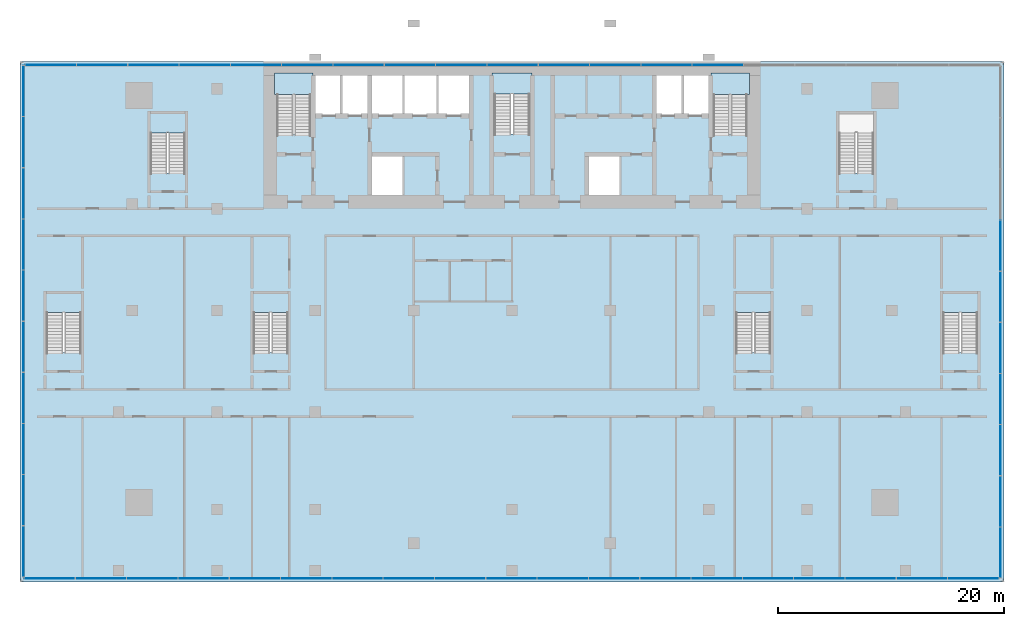
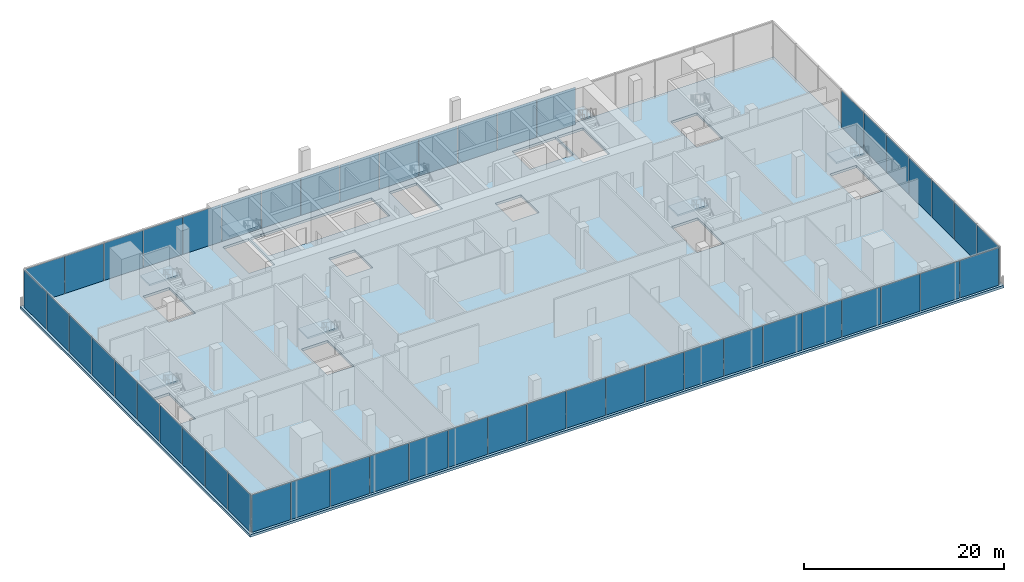
# One storey, part 9 of 20: 50 plates, 9 slabs, 12 elements without a shape of their own.
"""IFC4 building model written with IfcOpenShell, lengths in metres."""

from ifc_helpers import new_model, si_unit, direction, frame, origin, origin_2d, place, context, subcontext, project, spatial, polyline, rectangle, outline, extrude, material, layer, layer_set, type_object, element, aggregate, save


model = new_model("IFC4")

# Units and contexts
model_context = context("Model", 3, precision=1e-05, world=origin(), true_north=direction((0.0, 1.0)))
body_context = subcontext(model_context, "Body", "Model", "MODEL_VIEW")
ifc_project = project(units=[si_unit("LENGTHUNIT", "METRE"), si_unit("AREAUNIT", "SQUARE_METRE"), si_unit("VOLUMEUNIT", "CUBIC_METRE"), si_unit("PLANEANGLEUNIT", "RADIAN"), si_unit("MASSUNIT", "GRAM", prefix="KILO")], contexts=[model_context])

# Site, building, storey
site_placement = place(None, origin())
site = spatial("IfcSite", under=ifc_project, at=site_placement, CompositionType="ELEMENT")
building_placement = place(site_placement, origin())
building = spatial("IfcBuilding", under=site, at=building_placement, Name="Bicima Exchange Tower", CompositionType="ELEMENT")
storey_placement = place(building_placement, frame((0.0, 0.0, 25.0)))
storey = spatial("IfcBuildingStorey", under=building, at=storey_placement, Name="L04", CompositionType="ELEMENT", Elevation=25.0)

# Curtain wall, plates
ifc_material_1 = material(Name="Anodised bronze aluminium", Category="aluminium")
curtain_wall_type = type_object("IfcCurtainWallType", Name="Lobby glazing", PredefinedType="NOTDEFINED", material=ifc_material_1)
curtain_wall_1_placement = place(storey_placement, origin())
curtain_wall_1 = element("IfcCurtainWall", 1, at=curtain_wall_1_placement, inside=storey, type_object=curtain_wall_type, Name="Podium glazing L04 south 1", PredefinedType="NOTDEFINED")
ifc_material_2 = material(Name="Clear low-iron glass", Category="glass")
ifc_layer_1 = layer(ifc_material_2, 0.035888671875)
ifc_layer_set_1 = layer_set([ifc_layer_1], Name="Clear low-iron glass")
plate_type = type_object("IfcPlateType", Name="Lobby glazing glass panel 36", PredefinedType="CURTAIN_PANEL", material=ifc_layer_set_1)
plate_1_placement = place(storey_placement, frame((-40.900390625, -45.699951171875, 0.0), z_axis=(0.0, 0.0, 1.0), x_axis=(1.0, 0.0, 0.0)))
plate_1 = element("IfcPlate", 2, at=plate_1_placement, type_object=plate_type, Name="Lobby glazing panel 1.1", PredefinedType="CURTAIN_PANEL", context=body_context, shape_type="SweptSolid", body=[
    extrude(rectangle(XDim=4.47900390625, YDim=0.035888671875, at=origin_2d()), origin(), (0.0, 0.0, 1.0), 4.56005859375),
])
plate_2_placement = place(storey_placement, frame((-36.361572265625, -45.699951171875, 0.0), z_axis=(0.0, 0.0, 1.0), x_axis=(1.0, 0.0, 0.0)))
plate_2 = element("IfcPlate", 3, at=plate_2_placement, type_object=plate_type, Name="Lobby glazing panel 2.1", PredefinedType="CURTAIN_PANEL", context=body_context, shape_type="SweptSolid", body=[
    extrude(rectangle(XDim=4.47900390625, YDim=0.035888671875, at=origin_2d()), origin(), (0.0, 0.0, 1.0), 4.56005859375),
])
plate_3_placement = place(storey_placement, frame((-31.822509765625, -45.699951171875, 0.0), z_axis=(0.0, 0.0, 1.0), x_axis=(1.0, 0.0, 0.0)))
plate_3 = element("IfcPlate", 4, at=plate_3_placement, type_object=plate_type, Name="Lobby glazing panel 3.1", PredefinedType="CURTAIN_PANEL", context=body_context, shape_type="SweptSolid", body=[
    extrude(rectangle(XDim=4.47900390625, YDim=0.035888671875, at=origin_2d()), origin(), (0.0, 0.0, 1.0), 4.56005859375),
])
plate_4_placement = place(storey_placement, frame((-27.28369140625, -45.699951171875, 0.0), z_axis=(0.0, 0.0, 1.0), x_axis=(1.0, 0.0, 0.0)))
plate_4 = element("IfcPlate", 5, at=plate_4_placement, type_object=plate_type, Name="Lobby glazing panel 4.1", PredefinedType="CURTAIN_PANEL", context=body_context, shape_type="SweptSolid", body=[
    extrude(rectangle(XDim=4.47900390625, YDim=0.035888671875, at=origin_2d()), origin(), (0.0, 0.0, 1.0), 4.56005859375),
])
plate_5_placement = place(storey_placement, frame((-22.74462890625, -45.699951171875, 0.0), z_axis=(0.0, 0.0, 1.0), x_axis=(1.0, 0.0, 0.0)))
plate_5 = element("IfcPlate", 6, at=plate_5_placement, type_object=plate_type, Name="Lobby glazing panel 5.1", PredefinedType="CURTAIN_PANEL", context=body_context, shape_type="SweptSolid", body=[
    extrude(rectangle(XDim=4.47900390625, YDim=0.035888671875, at=origin_2d()), origin(), (0.0, 0.0, 1.0), 4.56005859375),
])
plate_6_placement = place(storey_placement, frame((-18.205810546875, -45.699951171875, 0.0), z_axis=(0.0, 0.0, 1.0), x_axis=(1.0, 0.0, 0.0)))
plate_6 = element("IfcPlate", 7, at=plate_6_placement, type_object=plate_type, Name="Lobby glazing panel 6.1", PredefinedType="CURTAIN_PANEL", context=body_context, shape_type="SweptSolid", body=[
    extrude(rectangle(XDim=4.47900390625, YDim=0.035888671875, at=origin_2d()), origin(), (0.0, 0.0, 1.0), 4.56005859375),
])
plate_7_placement = place(storey_placement, frame((-13.666748046875, -45.699951171875, 0.0), z_axis=(0.0, 0.0, 1.0), x_axis=(1.0, 0.0, 0.0)))
plate_7 = element("IfcPlate", 8, at=plate_7_placement, type_object=plate_type, Name="Lobby glazing panel 7.1", PredefinedType="CURTAIN_PANEL", context=body_context, shape_type="SweptSolid", body=[
    extrude(rectangle(XDim=4.47900390625, YDim=0.035888671875, at=origin_2d()), origin(), (0.0, 0.0, 1.0), 4.56005859375),
])
plate_8_placement = place(storey_placement, frame((-9.1279296875, -45.699951171875, 0.0), z_axis=(0.0, 0.0, 1.0), x_axis=(1.0, 0.0, 0.0)))
plate_8 = element("IfcPlate", 9, at=plate_8_placement, type_object=plate_type, Name="Lobby glazing panel 8.1", PredefinedType="CURTAIN_PANEL", context=body_context, shape_type="SweptSolid", body=[
    extrude(rectangle(XDim=4.47900390625, YDim=0.035888671875, at=origin_2d()), origin(), (0.0, 0.0, 1.0), 4.56005859375),
])
plate_9_placement = place(storey_placement, frame((-4.5888671875, -45.699951171875, 0.0), z_axis=(0.0, 0.0, 1.0), x_axis=(1.0, 0.0, 0.0)))
plate_9 = element("IfcPlate", 10, at=plate_9_placement, type_object=plate_type, Name="Lobby glazing panel 9.1", PredefinedType="CURTAIN_PANEL", context=body_context, shape_type="SweptSolid", body=[
    extrude(rectangle(XDim=4.47900390625, YDim=0.035888671875, at=origin_2d()), origin(), (0.0, 0.0, 1.0), 4.56005859375),
])
plate_10_placement = place(storey_placement, frame((-0.050048828125, -45.699951171875, 0.0), z_axis=(0.0, 0.0, 1.0), x_axis=(1.0, 0.0, 0.0)))
plate_10 = element("IfcPlate", 11, at=plate_10_placement, type_object=plate_type, Name="Lobby glazing panel 10.1", PredefinedType="CURTAIN_PANEL", context=body_context, shape_type="SweptSolid", body=[
    extrude(rectangle(XDim=4.47900390625, YDim=0.035888671875, at=origin_2d()), origin(), (0.0, 0.0, 1.0), 4.56005859375),
])
plate_11_placement = place(storey_placement, frame((4.489013671875, -45.699951171875, 0.0), z_axis=(0.0, 0.0, 1.0), x_axis=(1.0, 0.0, 0.0)))
plate_11 = element("IfcPlate", 12, at=plate_11_placement, type_object=plate_type, Name="Lobby glazing panel 11.1", PredefinedType="CURTAIN_PANEL", context=body_context, shape_type="SweptSolid", body=[
    extrude(rectangle(XDim=4.47900390625, YDim=0.035888671875, at=origin_2d()), origin(), (0.0, 0.0, 1.0), 4.56005859375),
])
plate_12_placement = place(storey_placement, frame((9.02783203125, -45.699951171875, 0.0), z_axis=(0.0, 0.0, 1.0), x_axis=(1.0, 0.0, 0.0)))
plate_12 = element("IfcPlate", 13, at=plate_12_placement, type_object=plate_type, Name="Lobby glazing panel 12.1", PredefinedType="CURTAIN_PANEL", context=body_context, shape_type="SweptSolid", body=[
    extrude(rectangle(XDim=4.47900390625, YDim=0.035888671875, at=origin_2d()), origin(), (0.0, 0.0, 1.0), 4.56005859375),
])
plate_13_placement = place(storey_placement, frame((13.56689453125, -45.699951171875, 0.0), z_axis=(0.0, 0.0, 1.0), x_axis=(1.0, 0.0, 0.0)))
plate_13 = element("IfcPlate", 14, at=plate_13_placement, type_object=plate_type, Name="Lobby glazing panel 13.1", PredefinedType="CURTAIN_PANEL", context=body_context, shape_type="SweptSolid", body=[
    extrude(rectangle(XDim=4.47900390625, YDim=0.035888671875, at=origin_2d()), origin(), (0.0, 0.0, 1.0), 4.56005859375),
])
plate_14_placement = place(storey_placement, frame((18.105712890625, -45.699951171875, 0.0), z_axis=(0.0, 0.0, 1.0), x_axis=(1.0, 0.0, 0.0)))
plate_14 = element("IfcPlate", 15, at=plate_14_placement, type_object=plate_type, Name="Lobby glazing panel 14.1", PredefinedType="CURTAIN_PANEL", context=body_context, shape_type="SweptSolid", body=[
    extrude(rectangle(XDim=4.47900390625, YDim=0.035888671875, at=origin_2d()), origin(), (0.0, 0.0, 1.0), 4.56005859375),
])
plate_15_placement = place(storey_placement, frame((22.644775390625, -45.699951171875, 0.0), z_axis=(0.0, 0.0, 1.0), x_axis=(1.0, 0.0, 0.0)))
plate_15 = element("IfcPlate", 16, at=plate_15_placement, type_object=plate_type, Name="Lobby glazing panel 15.1", PredefinedType="CURTAIN_PANEL", context=body_context, shape_type="SweptSolid", body=[
    extrude(rectangle(XDim=4.47900390625, YDim=0.035888671875, at=origin_2d()), origin(), (0.0, 0.0, 1.0), 4.56005859375),
])
plate_16_placement = place(storey_placement, frame((27.18359375, -45.699951171875, 0.0), z_axis=(0.0, 0.0, 1.0), x_axis=(1.0, 0.0, 0.0)))
plate_16 = element("IfcPlate", 17, at=plate_16_placement, type_object=plate_type, Name="Lobby glazing panel 16.1", PredefinedType="CURTAIN_PANEL", context=body_context, shape_type="SweptSolid", body=[
    extrude(rectangle(XDim=4.47900390625, YDim=0.035888671875, at=origin_2d()), origin(), (0.0, 0.0, 1.0), 4.56005859375),
])
plate_17_placement = place(storey_placement, frame((31.72265625, -45.699951171875, 0.0), z_axis=(0.0, 0.0, 1.0), x_axis=(1.0, 0.0, 0.0)))
plate_17 = element("IfcPlate", 18, at=plate_17_placement, type_object=plate_type, Name="Lobby glazing panel 17.1", PredefinedType="CURTAIN_PANEL", context=body_context, shape_type="SweptSolid", body=[
    extrude(rectangle(XDim=4.47900390625, YDim=0.035888671875, at=origin_2d()), origin(), (0.0, 0.0, 1.0), 4.56005859375),
])
plate_18_placement = place(storey_placement, frame((36.26171875, -45.699951171875, 0.0), z_axis=(0.0, 0.0, 1.0), x_axis=(1.0, 0.0, 0.0)))
plate_18 = element("IfcPlate", 19, at=plate_18_placement, type_object=plate_type, Name="Lobby glazing panel 18.1", PredefinedType="CURTAIN_PANEL", context=body_context, shape_type="SweptSolid", body=[
    extrude(rectangle(XDim=4.47900390625, YDim=0.035888671875, at=origin_2d()), origin(), (0.0, 0.0, 1.0), 4.56005859375),
])
plate_19_placement = place(storey_placement, frame((40.800537109375, -45.699951171875, 0.0), z_axis=(0.0, 0.0, 1.0), x_axis=(1.0, 0.0, 0.0)))
plate_19 = element("IfcPlate", 20, at=plate_19_placement, type_object=plate_type, Name="Lobby glazing panel 19.1", PredefinedType="CURTAIN_PANEL", context=body_context, shape_type="SweptSolid", body=[
    extrude(rectangle(XDim=4.47900390625, YDim=0.035888671875, at=origin_2d()), origin(), (0.0, 0.0, 1.0), 4.56005859375),
])
aggregate(curtain_wall_1, [plate_1, plate_2, plate_3, plate_4, plate_5, plate_6, plate_7, plate_8, plate_9, plate_10, plate_11, plate_12, plate_13, plate_14, plate_15, plate_16, plate_17, plate_18, plate_19])

curtain_wall_2_placement = place(storey_placement, origin())
curtain_wall_2 = element("IfcCurtainWall", 21, at=curtain_wall_2_placement, inside=storey, type_object=curtain_wall_type, Name="Podium glazing L04 east 1", PredefinedType="NOTDEFINED")
plate_20_placement = place(storey_placement, frame((43.199951171875, -43.407958984375, 0.0), z_axis=(0.0, 0.0, 1.0), x_axis=(0.0, 1.0, 0.0)))
plate_20 = element("IfcPlate", 22, at=plate_20_placement, type_object=plate_type, Name="Lobby glazing panel 1.1", PredefinedType="CURTAIN_PANEL", context=body_context, shape_type="SweptSolid", body=[
    extrude(rectangle(XDim=4.464111328125, YDim=0.035888671875, at=origin_2d()), origin(), (0.0, 0.0, 1.0), 4.56005859375),
])
plate_21_placement = place(storey_placement, frame((43.199951171875, -38.884033203125, 0.0), z_axis=(0.0, 0.0, 1.0), x_axis=(0.0, 1.0, 0.0)))
plate_21 = element("IfcPlate", 23, at=plate_21_placement, type_object=plate_type, Name="Lobby glazing panel 2.1", PredefinedType="CURTAIN_PANEL", context=body_context, shape_type="SweptSolid", body=[
    extrude(rectangle(XDim=4.464111328125, YDim=0.035888671875, at=origin_2d()), origin(), (0.0, 0.0, 1.0), 4.56005859375),
])
plate_22_placement = place(storey_placement, frame((43.199951171875, -34.360107421875, 0.0), z_axis=(0.0, 0.0, 1.0), x_axis=(0.0, 1.0, 0.0)))
plate_22 = element("IfcPlate", 24, at=plate_22_placement, type_object=plate_type, Name="Lobby glazing panel 3.1", PredefinedType="CURTAIN_PANEL", context=body_context, shape_type="SweptSolid", body=[
    extrude(rectangle(XDim=4.464111328125, YDim=0.035888671875, at=origin_2d()), origin(), (0.0, 0.0, 1.0), 4.56005859375),
])
plate_23_placement = place(storey_placement, frame((43.199951171875, -29.8359375, 0.0), z_axis=(0.0, 0.0, 1.0), x_axis=(0.0, 1.0, 0.0)))
plate_23 = element("IfcPlate", 25, at=plate_23_placement, type_object=plate_type, Name="Lobby glazing panel 4.1", PredefinedType="CURTAIN_PANEL", context=body_context, shape_type="SweptSolid", body=[
    extrude(rectangle(XDim=4.464111328125, YDim=0.035888671875, at=origin_2d()), origin(), (0.0, 0.0, 1.0), 4.56005859375),
])
plate_24_placement = place(storey_placement, frame((43.199951171875, -25.31201171875, 0.0), z_axis=(0.0, 0.0, 1.0), x_axis=(0.0, 1.0, 0.0)))
plate_24 = element("IfcPlate", 26, at=plate_24_placement, type_object=plate_type, Name="Lobby glazing panel 5.1", PredefinedType="CURTAIN_PANEL", context=body_context, shape_type="SweptSolid", body=[
    extrude(rectangle(XDim=4.464111328125, YDim=0.035888671875, at=origin_2d()), origin(), (0.0, 0.0, 1.0), 4.56005859375),
])
plate_25_placement = place(storey_placement, frame((43.199951171875, -20.7880859375, 0.0), z_axis=(0.0, 0.0, 1.0), x_axis=(0.0, 1.0, 0.0)))
plate_25 = element("IfcPlate", 27, at=plate_25_placement, type_object=plate_type, Name="Lobby glazing panel 6.1", PredefinedType="CURTAIN_PANEL", context=body_context, shape_type="SweptSolid", body=[
    extrude(rectangle(XDim=4.464111328125, YDim=0.035888671875, at=origin_2d()), origin(), (0.0, 0.0, 1.0), 4.56005859375),
])
plate_26_placement = place(storey_placement, frame((43.199951171875, -16.263916015625, 0.0), z_axis=(0.0, 0.0, 1.0), x_axis=(0.0, 1.0, 0.0)))
plate_26 = element("IfcPlate", 28, at=plate_26_placement, type_object=plate_type, Name="Lobby glazing panel 7.1", PredefinedType="CURTAIN_PANEL", context=body_context, shape_type="SweptSolid", body=[
    extrude(rectangle(XDim=4.464111328125, YDim=0.035888671875, at=origin_2d()), origin(), (0.0, 0.0, 1.0), 4.56005859375),
])
aggregate(curtain_wall_2, [plate_20, plate_21, plate_22, plate_23, plate_24, plate_25, plate_26])

curtain_wall_3_placement = place(storey_placement, origin())
curtain_wall_3 = element("IfcCurtainWall", 29, at=curtain_wall_3_placement, inside=storey, type_object=curtain_wall_type, Name="Podium glazing L04 north 1", PredefinedType="NOTDEFINED")
plate_27_placement = place(storey_placement, frame((18.205810546875, -0.300048828125, 0.0), z_axis=(0.0, 0.0, 1.0), x_axis=(-1.0, 0.0, 0.0)))
plate_27 = element("IfcPlate", 30, at=plate_27_placement, type_object=plate_type, Name="Lobby glazing panel 6.1", PredefinedType="CURTAIN_PANEL", context=body_context, shape_type="SweptSolid", body=[
    extrude(rectangle(XDim=4.47900390625, YDim=0.035888671875, at=origin_2d()), origin(), (0.0, 0.0, 1.0), 4.56005859375),
])
plate_28_placement = place(storey_placement, frame((13.666748046875, -0.300048828125, 0.0), z_axis=(0.0, 0.0, 1.0), x_axis=(-1.0, 0.0, 0.0)))
plate_28 = element("IfcPlate", 31, at=plate_28_placement, type_object=plate_type, Name="Lobby glazing panel 7.1", PredefinedType="CURTAIN_PANEL", context=body_context, shape_type="SweptSolid", body=[
    extrude(rectangle(XDim=4.47900390625, YDim=0.035888671875, at=origin_2d()), origin(), (0.0, 0.0, 1.0), 4.56005859375),
])
plate_29_placement = place(storey_placement, frame((9.1279296875, -0.300048828125, 0.0), z_axis=(0.0, 0.0, 1.0), x_axis=(-1.0, 0.0, 0.0)))
plate_29 = element("IfcPlate", 32, at=plate_29_placement, type_object=plate_type, Name="Lobby glazing panel 8.1", PredefinedType="CURTAIN_PANEL", context=body_context, shape_type="SweptSolid", body=[
    extrude(rectangle(XDim=4.47900390625, YDim=0.035888671875, at=origin_2d()), origin(), (0.0, 0.0, 1.0), 4.56005859375),
])
plate_30_placement = place(storey_placement, frame((4.5888671875, -0.300048828125, 0.0), z_axis=(0.0, 0.0, 1.0), x_axis=(-1.0, 0.0, 0.0)))
plate_30 = element("IfcPlate", 33, at=plate_30_placement, type_object=plate_type, Name="Lobby glazing panel 9.1", PredefinedType="CURTAIN_PANEL", context=body_context, shape_type="SweptSolid", body=[
    extrude(rectangle(XDim=4.47900390625, YDim=0.035888671875, at=origin_2d()), origin(), (0.0, 0.0, 1.0), 4.56005859375),
])
plate_31_placement = place(storey_placement, frame((0.050048828125, -0.300048828125, 0.0), z_axis=(0.0, 0.0, 1.0), x_axis=(-1.0, 0.0, 0.0)))
plate_31 = element("IfcPlate", 34, at=plate_31_placement, type_object=plate_type, Name="Lobby glazing panel 10.1", PredefinedType="CURTAIN_PANEL", context=body_context, shape_type="SweptSolid", body=[
    extrude(rectangle(XDim=4.47900390625, YDim=0.035888671875, at=origin_2d()), origin(), (0.0, 0.0, 1.0), 4.56005859375),
])
plate_32_placement = place(storey_placement, frame((-4.489013671875, -0.300048828125, 0.0), z_axis=(0.0, 0.0, 1.0), x_axis=(-1.0, 0.0, 0.0)))
plate_32 = element("IfcPlate", 35, at=plate_32_placement, type_object=plate_type, Name="Lobby glazing panel 11.1", PredefinedType="CURTAIN_PANEL", context=body_context, shape_type="SweptSolid", body=[
    extrude(rectangle(XDim=4.47900390625, YDim=0.035888671875, at=origin_2d()), origin(), (0.0, 0.0, 1.0), 4.56005859375),
])
plate_33_placement = place(storey_placement, frame((-9.02783203125, -0.300048828125, 0.0), z_axis=(0.0, 0.0, 1.0), x_axis=(-1.0, 0.0, 0.0)))
plate_33 = element("IfcPlate", 36, at=plate_33_placement, type_object=plate_type, Name="Lobby glazing panel 12.1", PredefinedType="CURTAIN_PANEL", context=body_context, shape_type="SweptSolid", body=[
    extrude(rectangle(XDim=4.47900390625, YDim=0.035888671875, at=origin_2d()), origin(), (0.0, 0.0, 1.0), 4.56005859375),
])
plate_34_placement = place(storey_placement, frame((-13.56689453125, -0.300048828125, 0.0), z_axis=(0.0, 0.0, 1.0), x_axis=(-1.0, 0.0, 0.0)))
plate_34 = element("IfcPlate", 37, at=plate_34_placement, type_object=plate_type, Name="Lobby glazing panel 13.1", PredefinedType="CURTAIN_PANEL", context=body_context, shape_type="SweptSolid", body=[
    extrude(rectangle(XDim=4.47900390625, YDim=0.035888671875, at=origin_2d()), origin(), (0.0, 0.0, 1.0), 4.56005859375),
])
plate_35_placement = place(storey_placement, frame((-18.105712890625, -0.300048828125, 0.0), z_axis=(0.0, 0.0, 1.0), x_axis=(-1.0, 0.0, 0.0)))
plate_35 = element("IfcPlate", 38, at=plate_35_placement, type_object=plate_type, Name="Lobby glazing panel 14.1", PredefinedType="CURTAIN_PANEL", context=body_context, shape_type="SweptSolid", body=[
    extrude(rectangle(XDim=4.47900390625, YDim=0.035888671875, at=origin_2d()), origin(), (0.0, 0.0, 1.0), 4.56005859375),
])
plate_36_placement = place(storey_placement, frame((-22.644775390625, -0.300048828125, 0.0), z_axis=(0.0, 0.0, 1.0), x_axis=(-1.0, 0.0, 0.0)))
plate_36 = element("IfcPlate", 39, at=plate_36_placement, type_object=plate_type, Name="Lobby glazing panel 15.1", PredefinedType="CURTAIN_PANEL", context=body_context, shape_type="SweptSolid", body=[
    extrude(rectangle(XDim=4.47900390625, YDim=0.035888671875, at=origin_2d()), origin(), (0.0, 0.0, 1.0), 4.56005859375),
])
plate_37_placement = place(storey_placement, frame((-27.18359375, -0.300048828125, 0.0), z_axis=(0.0, 0.0, 1.0), x_axis=(-1.0, 0.0, 0.0)))
plate_37 = element("IfcPlate", 40, at=plate_37_placement, type_object=plate_type, Name="Lobby glazing panel 16.1", PredefinedType="CURTAIN_PANEL", context=body_context, shape_type="SweptSolid", body=[
    extrude(rectangle(XDim=4.47900390625, YDim=0.035888671875, at=origin_2d()), origin(), (0.0, 0.0, 1.0), 4.56005859375),
])
plate_38_placement = place(storey_placement, frame((-31.72265625, -0.300048828125, 0.0), z_axis=(0.0, 0.0, 1.0), x_axis=(-1.0, 0.0, 0.0)))
plate_38 = element("IfcPlate", 41, at=plate_38_placement, type_object=plate_type, Name="Lobby glazing panel 17.1", PredefinedType="CURTAIN_PANEL", context=body_context, shape_type="SweptSolid", body=[
    extrude(rectangle(XDim=4.47900390625, YDim=0.035888671875, at=origin_2d()), origin(), (0.0, 0.0, 1.0), 4.56005859375),
])
plate_39_placement = place(storey_placement, frame((-36.26171875, -0.300048828125, 0.0), z_axis=(0.0, 0.0, 1.0), x_axis=(-1.0, 0.0, 0.0)))
plate_39 = element("IfcPlate", 42, at=plate_39_placement, type_object=plate_type, Name="Lobby glazing panel 18.1", PredefinedType="CURTAIN_PANEL", context=body_context, shape_type="SweptSolid", body=[
    extrude(rectangle(XDim=4.47900390625, YDim=0.035888671875, at=origin_2d()), origin(), (0.0, 0.0, 1.0), 4.56005859375),
])
plate_40_placement = place(storey_placement, frame((-40.800537109375, -0.300048828125, 0.0), z_axis=(0.0, 0.0, 1.0), x_axis=(-1.0, 0.0, 0.0)))
plate_40 = element("IfcPlate", 43, at=plate_40_placement, type_object=plate_type, Name="Lobby glazing panel 19.1", PredefinedType="CURTAIN_PANEL", context=body_context, shape_type="SweptSolid", body=[
    extrude(rectangle(XDim=4.47900390625, YDim=0.035888671875, at=origin_2d()), origin(), (0.0, 0.0, 1.0), 4.56005859375),
])
aggregate(curtain_wall_3, [plate_27, plate_28, plate_29, plate_30, plate_31, plate_32, plate_33, plate_34, plate_35, plate_36, plate_37, plate_38, plate_39, plate_40])

curtain_wall_4_placement = place(storey_placement, origin())
curtain_wall_4 = element("IfcCurtainWall", 44, at=curtain_wall_4_placement, inside=storey, type_object=curtain_wall_type, Name="Podium glazing L04 west 1", PredefinedType="NOTDEFINED")
plate_41_placement = place(storey_placement, frame((-43.199951171875, -2.592041015625, 0.0), z_axis=(0.0, 0.0, 1.0), x_axis=(0.0, -1.0, 0.0)))
plate_41 = element("IfcPlate", 45, at=plate_41_placement, type_object=plate_type, Name="Lobby glazing panel 1.1", PredefinedType="CURTAIN_PANEL", context=body_context, shape_type="SweptSolid", body=[
    extrude(rectangle(XDim=4.464111328125, YDim=0.035888671875, at=origin_2d()), origin(), (0.0, 0.0, 1.0), 4.56005859375),
])
plate_42_placement = place(storey_placement, frame((-43.199951171875, -7.115966796875, 0.0), z_axis=(0.0, 0.0, 1.0), x_axis=(0.0, -1.0, 0.0)))
plate_42 = element("IfcPlate", 46, at=plate_42_placement, type_object=plate_type, Name="Lobby glazing panel 2.1", PredefinedType="CURTAIN_PANEL", context=body_context, shape_type="SweptSolid", body=[
    extrude(rectangle(XDim=4.464111328125, YDim=0.035888671875, at=origin_2d()), origin(), (0.0, 0.0, 1.0), 4.56005859375),
])
plate_43_placement = place(storey_placement, frame((-43.199951171875, -11.639892578125, 0.0), z_axis=(0.0, 0.0, 1.0), x_axis=(0.0, -1.0, 0.0)))
plate_43 = element("IfcPlate", 47, at=plate_43_placement, type_object=plate_type, Name="Lobby glazing panel 3.1", PredefinedType="CURTAIN_PANEL", context=body_context, shape_type="SweptSolid", body=[
    extrude(rectangle(XDim=4.464111328125, YDim=0.035888671875, at=origin_2d()), origin(), (0.0, 0.0, 1.0), 4.56005859375),
])
plate_44_placement = place(storey_placement, frame((-43.199951171875, -16.1640625, 0.0), z_axis=(0.0, 0.0, 1.0), x_axis=(0.0, -1.0, 0.0)))
plate_44 = element("IfcPlate", 48, at=plate_44_placement, type_object=plate_type, Name="Lobby glazing panel 4.1", PredefinedType="CURTAIN_PANEL", context=body_context, shape_type="SweptSolid", body=[
    extrude(rectangle(XDim=4.464111328125, YDim=0.035888671875, at=origin_2d()), origin(), (0.0, 0.0, 1.0), 4.56005859375),
])
plate_45_placement = place(storey_placement, frame((-43.199951171875, -20.68798828125, 0.0), z_axis=(0.0, 0.0, 1.0), x_axis=(0.0, -1.0, 0.0)))
plate_45 = element("IfcPlate", 49, at=plate_45_placement, type_object=plate_type, Name="Lobby glazing panel 5.1", PredefinedType="CURTAIN_PANEL", context=body_context, shape_type="SweptSolid", body=[
    extrude(rectangle(XDim=4.464111328125, YDim=0.035888671875, at=origin_2d()), origin(), (0.0, 0.0, 1.0), 4.56005859375),
])
plate_46_placement = place(storey_placement, frame((-43.199951171875, -25.2119140625, 0.0), z_axis=(0.0, 0.0, 1.0), x_axis=(0.0, -1.0, 0.0)))
plate_46 = element("IfcPlate", 50, at=plate_46_placement, type_object=plate_type, Name="Lobby glazing panel 6.1", PredefinedType="CURTAIN_PANEL", context=body_context, shape_type="SweptSolid", body=[
    extrude(rectangle(XDim=4.464111328125, YDim=0.035888671875, at=origin_2d()), origin(), (0.0, 0.0, 1.0), 4.56005859375),
])
plate_47_placement = place(storey_placement, frame((-43.199951171875, -29.736083984375, 0.0), z_axis=(0.0, 0.0, 1.0), x_axis=(0.0, -1.0, 0.0)))
plate_47 = element("IfcPlate", 51, at=plate_47_placement, type_object=plate_type, Name="Lobby glazing panel 7.1", PredefinedType="CURTAIN_PANEL", context=body_context, shape_type="SweptSolid", body=[
    extrude(rectangle(XDim=4.464111328125, YDim=0.035888671875, at=origin_2d()), origin(), (0.0, 0.0, 1.0), 4.56005859375),
])
plate_48_placement = place(storey_placement, frame((-43.199951171875, -34.260009765625, 0.0), z_axis=(0.0, 0.0, 1.0), x_axis=(0.0, -1.0, 0.0)))
plate_48 = element("IfcPlate", 52, at=plate_48_placement, type_object=plate_type, Name="Lobby glazing panel 8.1", PredefinedType="CURTAIN_PANEL", context=body_context, shape_type="SweptSolid", body=[
    extrude(rectangle(XDim=4.464111328125, YDim=0.035888671875, at=origin_2d()), origin(), (0.0, 0.0, 1.0), 4.56005859375),
])
plate_49_placement = place(storey_placement, frame((-43.199951171875, -38.783935546875, 0.0), z_axis=(0.0, 0.0, 1.0), x_axis=(0.0, -1.0, 0.0)))
plate_49 = element("IfcPlate", 53, at=plate_49_placement, type_object=plate_type, Name="Lobby glazing panel 9.1", PredefinedType="CURTAIN_PANEL", context=body_context, shape_type="SweptSolid", body=[
    extrude(rectangle(XDim=4.464111328125, YDim=0.035888671875, at=origin_2d()), origin(), (0.0, 0.0, 1.0), 4.56005859375),
])
plate_50_placement = place(storey_placement, frame((-43.199951171875, -43.30810546875, 0.0), z_axis=(0.0, 0.0, 1.0), x_axis=(0.0, -1.0, 0.0)))
plate_50 = element("IfcPlate", 54, at=plate_50_placement, type_object=plate_type, Name="Lobby glazing panel 10.1", PredefinedType="CURTAIN_PANEL", context=body_context, shape_type="SweptSolid", body=[
    extrude(rectangle(XDim=4.464111328125, YDim=0.035888671875, at=origin_2d()), origin(), (0.0, 0.0, 1.0), 4.56005859375),
])
aggregate(curtain_wall_4, [plate_41, plate_42, plate_43, plate_44, plate_45, plate_46, plate_47, plate_48, plate_49, plate_50])

# Slab
ifc_material_3 = material(Name="Concrete C40/50", Category="concrete")
ifc_layer_2 = layer(ifc_material_3, 0.300048828125)
ifc_layer_set_2 = layer_set([ifc_layer_2], Name="Concrete C40/50")
slab_type_1 = type_object("IfcSlabType", Name="Reinforced concrete flat plate 300", PredefinedType="FLOOR", material=ifc_layer_set_2)
slab_1_placement = place(storey_placement, frame((0.0, 0.0, -0.300048828125)))
element("IfcSlab", 55, at=slab_1_placement, inside=storey, type_object=slab_type_1, Name="Floor slab", PredefinedType="FLOOR", context=body_context, shape_type="SweptSolid", body=[
    extrude(outline(polyline([(-43.5, 0.0), (43.5, 0.0), (43.5, -46.0), (-43.5, -46.0), (-43.5, 0.0)]), holes=[polyline([(-41.175048828125, -25.72509765625), (-38.125, -25.72509765625), (-38.125, -20.52490234375), (-41.175048828125, -20.52490234375), (-41.175048828125, -25.72509765625)]), polyline([(-22.875, -25.72509765625), (-19.824951171875, -25.72509765625), (-19.824951171875, -20.52490234375), (-22.875, -20.52490234375), (-22.875, -25.72509765625)]), polyline([(-12.60009765625, -11.800048828125), (-9.60009765625, -11.800048828125), (-9.60009765625, -8.199951171875), (-12.60009765625, -8.199951171875), (-12.60009765625, -11.800048828125)]), polyline([(-31.97509765625, -9.824951171875), (-28.925048828125, -9.824951171875), (-28.925048828125, -4.625), (-31.97509765625, -4.625), (-31.97509765625, -9.824951171875)]), polyline([(-20.800048828125, -6.449951171875), (-17.800048828125, -6.449951171875), (-17.800048828125, -1.199951171875), (-20.800048828125, -1.199951171875), (-20.800048828125, -6.449951171875)]), polyline([(-17.60009765625, -1.199951171875), (-17.60009765625, -4.800048828125), (-15.10009765625, -4.800048828125), (-12.60009765625, -4.800048828125), (-9.60009765625, -4.800048828125), (-6.60009765625, -4.800048828125), (-3.60009765625, -4.800048828125), (-3.60009765625, -1.199951171875), (-6.60009765625, -1.199951171875), (-9.60009765625, -1.199951171875), (-12.60009765625, -1.199951171875), (-15.10009765625, -1.199951171875), (-17.60009765625, -1.199951171875)]), polyline([(19.824951171875, -25.72509765625), (22.875, -25.72509765625), (22.875, -20.52490234375), (19.824951171875, -20.52490234375), (19.824951171875, -25.72509765625)]), polyline([(38.125, -25.72509765625), (41.175048828125, -25.72509765625), (41.175048828125, -20.52490234375), (38.125, -20.52490234375), (38.125, -25.72509765625)]), polyline([(6.60009765625, -11.800048828125), (9.60009765625, -11.800048828125), (9.60009765625, -8.199951171875), (6.60009765625, -8.199951171875), (6.60009765625, -11.800048828125)]), polyline([(28.925048828125, -9.824951171875), (31.97509765625, -9.824951171875), (31.97509765625, -4.625), (28.925048828125, -4.625), (28.925048828125, -9.824951171875)]), polyline([(17.800048828125, -6.449951171875), (20.800048828125, -6.449951171875), (20.800048828125, -1.199951171875), (17.800048828125, -1.199951171875), (17.800048828125, -6.449951171875)]), polyline([(-1.574951171875, -6.39990234375), (1.574951171875, -6.39990234375), (1.574951171875, -1.199951171875), (-1.574951171875, -1.199951171875), (-1.574951171875, -6.39990234375)]), polyline([(15.10009765625, -4.800048828125), (17.60009765625, -4.800048828125), (17.60009765625, -1.199951171875), (15.10009765625, -1.199951171875), (12.60009765625, -1.199951171875), (12.60009765625, -4.800048828125), (15.10009765625, -4.800048828125)])]), origin(), (0.0, 0.0, 1.0), 0.300048828125),
])

# Stair, slab
ifc_material_4 = material(Name="Concrete C50/60", Category="concrete")
stair_type_1 = type_object("IfcStairType", Name="Exit stair", PredefinedType="HALF_TURN_STAIR", material=ifc_material_4)
stair_1_placement = place(storey_placement, origin())
stair_1 = element("IfcStair", 56, at=stair_1_placement, inside=storey, type_object=stair_type_1, Name="L04 West exit stair", PredefinedType="HALF_TURN_STAIR")
ifc_layer_3 = layer(ifc_material_4, 0.199951171875)
ifc_layer_set_3 = layer_set([ifc_layer_3], Name="Concrete C50/60")
slab_type_2 = type_object("IfcSlabType", Name="Stair landing slab", PredefinedType="LANDING", material=ifc_layer_set_3)
slab_2_placement = place(storey_placement, frame((0.0, 0.0, 2.300048828125)))
slab_2 = element("IfcSlab", 57, at=slab_2_placement, type_object=slab_type_2, Name="ST-W landing 1", PredefinedType="LANDING", context=body_context, shape_type="SweptSolid", body=[
    extrude(outline(polyline([(-17.60009765625, -2.909912109375), (-17.60009765625, -1.0), (-21.0, -1.0), (-21.0, -2.909912109375), (-17.60009765625, -2.909912109375)])), origin(), (0.0, 0.0, 1.0), 0.199951171875),
])
aggregate(stair_1, [slab_2])

stair_type_2 = type_object("IfcStairType", Name="Exit stair 1500", PredefinedType="HALF_TURN_STAIR", material=ifc_material_4)
stair_2_placement = place(storey_placement, origin())
stair_2 = element("IfcStair", 58, at=stair_2_placement, inside=storey, type_object=stair_type_2, Name="L04 Central exit stair", PredefinedType="HALF_TURN_STAIR")
slab_3_placement = place(storey_placement, frame((0.0, 0.0, 2.300048828125)))
slab_3 = element("IfcSlab", 59, at=slab_3_placement, type_object=slab_type_2, Name="ST-C landing 1", PredefinedType="LANDING", context=body_context, shape_type="SweptSolid", body=[
    extrude(outline(polyline([(1.77490234375, -2.860107421875), (1.77490234375, -1.0), (-1.77490234375, -1.0), (-1.77490234375, -2.860107421875), (1.77490234375, -2.860107421875)])), origin(), (0.0, 0.0, 1.0), 0.199951171875),
])
aggregate(stair_2, [slab_3])

stair_3_placement = place(storey_placement, origin())
stair_3 = element("IfcStair", 60, at=stair_3_placement, inside=storey, type_object=stair_type_1, Name="L04 East exit stair", PredefinedType="HALF_TURN_STAIR")
slab_4_placement = place(storey_placement, frame((0.0, 0.0, 2.300048828125)))
slab_4 = element("IfcSlab", 61, at=slab_4_placement, type_object=slab_type_2, Name="ST-E landing 1", PredefinedType="LANDING", context=body_context, shape_type="SweptSolid", body=[
    extrude(outline(polyline([(21.0, -2.909912109375), (21.0, -1.0), (17.60009765625, -1.0), (17.60009765625, -2.909912109375), (21.0, -2.909912109375)])), origin(), (0.0, 0.0, 1.0), 0.199951171875),
])
aggregate(stair_3, [slab_4])

stair_4_placement = place(storey_placement, origin())
stair_4 = element("IfcStair", 62, at=stair_4_placement, inside=storey, type_object=stair_type_1, Name="L04 West end exit stair", PredefinedType="HALF_TURN_STAIR")
slab_5_placement = place(storey_placement, frame((0.0, 0.0, 2.300048828125)))
slab_5 = element("IfcSlab", 63, at=slab_5_placement, type_object=slab_type_2, Name="ST-WW landing 1", PredefinedType="LANDING", context=body_context, shape_type="SweptSolid", body=[
    extrude(outline(polyline([(-28.72509765625, -6.284912109375), (-28.72509765625, -4.425048828125), (-32.175048828125, -4.425048828125), (-32.175048828125, -6.284912109375), (-28.72509765625, -6.284912109375)])), origin(), (0.0, 0.0, 1.0), 0.199951171875),
])
aggregate(stair_4, [slab_5])

stair_5_placement = place(storey_placement, origin())
stair_5 = element("IfcStair", 64, at=stair_5_placement, inside=storey, type_object=stair_type_1, Name="L04 Podium west stair", PredefinedType="HALF_TURN_STAIR")
slab_6_placement = place(storey_placement, frame((0.0, 0.0, 2.300048828125)))
slab_6 = element("IfcSlab", 65, at=slab_6_placement, type_object=slab_type_2, Name="PS-W landing 1", PredefinedType="LANDING", context=body_context, shape_type="SweptSolid", body=[
    extrude(outline(polyline([(-37.925048828125, -22.18505859375), (-37.925048828125, -20.324951171875), (-41.375, -20.324951171875), (-41.375, -22.18505859375), (-37.925048828125, -22.18505859375)])), origin(), (0.0, 0.0, 1.0), 0.199951171875),
])
aggregate(stair_5, [slab_6])

stair_6_placement = place(storey_placement, origin())
stair_6 = element("IfcStair", 66, at=stair_6_placement, inside=storey, type_object=stair_type_1, Name="L04 Podium inner west stair", PredefinedType="HALF_TURN_STAIR")
slab_7_placement = place(storey_placement, frame((0.0, 0.0, 2.300048828125)))
slab_7 = element("IfcSlab", 67, at=slab_7_placement, type_object=slab_type_2, Name="PS-WI landing 1", PredefinedType="LANDING", context=body_context, shape_type="SweptSolid", body=[
    extrude(outline(polyline([(-19.625, -22.18505859375), (-19.625, -20.324951171875), (-23.074951171875, -20.324951171875), (-23.074951171875, -22.18505859375), (-19.625, -22.18505859375)])), origin(), (0.0, 0.0, 1.0), 0.199951171875),
])
aggregate(stair_6, [slab_7])

stair_7_placement = place(storey_placement, origin())
stair_7 = element("IfcStair", 68, at=stair_7_placement, inside=storey, type_object=stair_type_1, Name="L04 Podium inner east stair", PredefinedType="HALF_TURN_STAIR")
slab_8_placement = place(storey_placement, frame((0.0, 0.0, 2.300048828125)))
slab_8 = element("IfcSlab", 69, at=slab_8_placement, type_object=slab_type_2, Name="PS-EI landing 1", PredefinedType="LANDING", context=body_context, shape_type="SweptSolid", body=[
    extrude(outline(polyline([(23.074951171875, -22.18505859375), (23.074951171875, -20.324951171875), (19.625, -20.324951171875), (19.625, -22.18505859375), (23.074951171875, -22.18505859375)])), origin(), (0.0, 0.0, 1.0), 0.199951171875),
])
aggregate(stair_7, [slab_8])

stair_8_placement = place(storey_placement, origin())
stair_8 = element("IfcStair", 70, at=stair_8_placement, inside=storey, type_object=stair_type_1, Name="L04 Podium east stair", PredefinedType="HALF_TURN_STAIR")
slab_9_placement = place(storey_placement, frame((0.0, 0.0, 2.300048828125)))
slab_9 = element("IfcSlab", 71, at=slab_9_placement, type_object=slab_type_2, Name="PS-E landing 1", PredefinedType="LANDING", context=body_context, shape_type="SweptSolid", body=[
    extrude(outline(polyline([(41.375, -22.18505859375), (41.375, -20.324951171875), (37.925048828125, -20.324951171875), (37.925048828125, -22.18505859375), (41.375, -22.18505859375)])), origin(), (0.0, 0.0, 1.0), 0.199951171875),
])
aggregate(stair_8, [slab_9])

save(model, "model.ifc")
